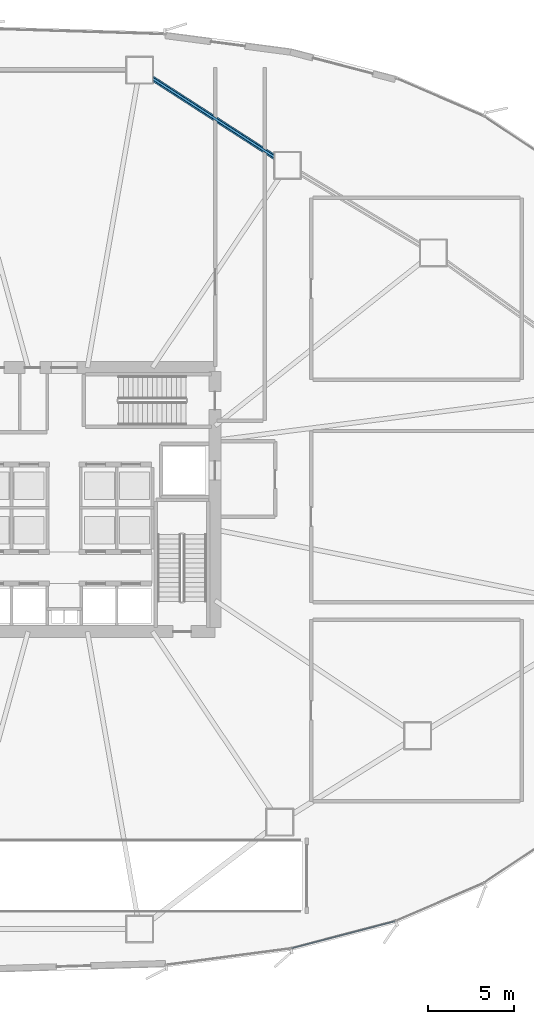
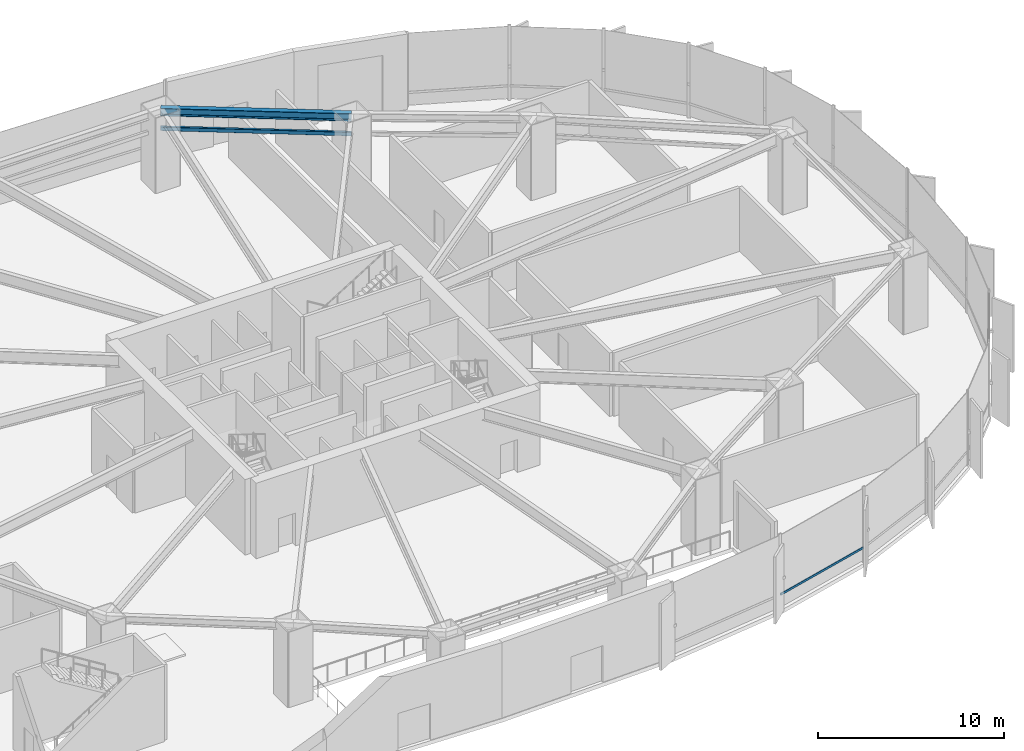
# One storey, part 13 of 35: 2 beams, 1 member, 1 element without a shape of its own.
"""IFC4 building model written with IfcOpenShell, lengths in metres."""

from ifc_helpers import new_model, si_unit, direction, frame, origin, origin_2d, place, context, subcontext, project, spatial, hollow_rectangle, i_section, extrude, source, transform, mapped, material, layer, layer_set, material_profile, profile_set, type_object, element, aggregate, save


model = new_model("IFC4")

# Units and contexts
model_context = context("Model", 3, precision=1e-05, world=origin(), true_north=direction((0.0, 1.0)))
body_context = subcontext(model_context, "Body", "Model", "MODEL_VIEW")
ifc_project = project(units=[si_unit("LENGTHUNIT", "METRE"), si_unit("AREAUNIT", "SQUARE_METRE"), si_unit("VOLUMEUNIT", "CUBIC_METRE"), si_unit("PLANEANGLEUNIT", "RADIAN"), si_unit("MASSUNIT", "GRAM", prefix="KILO"), si_unit("THERMODYNAMICTEMPERATUREUNIT", "KELVIN")], contexts=[model_context])

# Site, building, storey
site_placement = place(None, origin())
site = spatial("IfcSite", under=ifc_project, at=site_placement, CompositionType="ELEMENT")
building_placement = place(site_placement, origin())
building = spatial("IfcBuilding", under=site, at=building_placement, Name="Kethvar Cultural Tower", CompositionType="ELEMENT")
storey_placement = place(building_placement, origin())
storey = spatial("IfcBuildingStorey", under=building, at=storey_placement, Name="L00", CompositionType="ELEMENT", Elevation=0.0)

# Beams
ifc_material_1 = material(Name="Steel S355J2", Category="steel")
ifc_material_profile_1 = material_profile(ifc_material_1, i_section(OverallWidth=0.300048828125, OverallDepth=0.5, WebThickness=0.014404296875, FlangeThickness=0.028076171875, FilletRadius=0.027099609375, at=origin_2d()), Name="Steel S355J2 — HEB500")
ifc_profile_set_1 = profile_set([ifc_material_profile_1], Name="Steel S355J2 — HEB500")
beam_type_1 = type_object("IfcBeamType", Name="BM-SP500", PredefinedType="SPANDREL", material=ifc_profile_set_1)
shared_shape_1 = source(origin(), body_context, "Body", "SweptSolid", [
    extrude(i_section(OverallWidth=0.300048828125, OverallDepth=0.5, WebThickness=0.014404296875, FlangeThickness=0.028076171875, FilletRadius=0.027099609375, at=origin_2d()), origin(), (0.0, 0.0, 1.0), 10.260009765625),
])
beam_1_placement = place(storey_placement, frame((59.824951171875, 47.293212890625, 4.697998046875), z_axis=(-0.840635315951, 0.541601574569, 0.0), x_axis=(-0.541601574569, -0.840635315951, 0.0)))
element("IfcBeam", 1, at=beam_1_placement, inside=storey, type_object=beam_type_1, Name="L00 Podium Ring Beam 03", PredefinedType="SPANDREL", context=body_context, shape_type="MappedRepresentation", body=[
    mapped(shared_shape_1, transform((0.0, 0.0, 0.0), scale=1.0)),
])
ifc_material_profile_2 = material_profile(ifc_material_1, hollow_rectangle(XDim=0.14990234375, YDim=0.25, WallThickness=0.010009765625, InnerFilletRadius=0.010009765625, OuterFilletRadius=0.02001953125, at=origin_2d()), Name="Steel S355J2 — RHS250x150x10")
ifc_profile_set_2 = profile_set([ifc_material_profile_2], Name="Steel S355J2 — RHS250x150x10")
beam_type_2 = type_object("IfcBeamType", Name="BM-LN250", PredefinedType="LINTEL", material=ifc_profile_set_2)
shared_shape_2 = source(origin(), body_context, "Body", "SweptSolid", [
    extrude(hollow_rectangle(XDim=0.14990234375, YDim=0.25, WallThickness=0.010009765625, InnerFilletRadius=0.010009765625, OuterFilletRadius=0.02001953125, at=origin_2d()), origin(), (0.0, 0.0, 1.0), 10.260009765625),
])
beam_2_placement = place(storey_placement, frame((59.824951171875, 47.293212890625, 3.550048828125), z_axis=(-0.840635315951, 0.541601574569, 0.0), x_axis=(-0.541601574569, -0.840635315951, 0.0)))
element("IfcBeam", 2, at=beam_2_placement, inside=storey, type_object=beam_type_2, Name="L00 Header Lintel LN-03", PredefinedType="LINTEL", context=body_context, shape_type="MappedRepresentation", body=[
    mapped(shared_shape_2, transform((0.0, 0.0, 0.0), scale=1.0)),
])

# Curtain wall, member
ifc_material_2 = material(Name="Aluminium 6063-T6", Category="aluminium")
ifc_layer = layer(ifc_material_2, 0.179931640625, Name="Aluminium 6063-T6", Category="aluminium")
ifc_layer_set = layer_set([ifc_layer], Name="Aluminium 6063-T6 (180 mm)")
curtain_wall_type = type_object("IfcCurtainWallType", Name="CW-SYS-01-POD", PredefinedType="NOTDEFINED", material=ifc_layer_set)
curtain_wall_placement = place(storey_placement, origin())
curtain_wall = element("IfcCurtainWall", 3, at=curtain_wall_placement, inside=storey, type_object=curtain_wall_type, Name="L00 Curtain Wall Run 04", PredefinedType="NOTDEFINED")
ifc_material_profile_3 = material_profile(ifc_material_2, hollow_rectangle(XDim=0.06005859375, YDim=0.139892578125, WallThickness=0.0048828125, at=origin_2d()), Name="Aluminium 6063-T6 — RHS140x60x5")
ifc_profile_set_3 = profile_set([ifc_material_profile_3], Name="Aluminium 6063-T6 — RHS140x60x5")
member_type = type_object("IfcMemberType", Name="CW-SYS-01-POD-TRN", PredefinedType="USERDEFINED", material=ifc_profile_set_3)
shared_shape_3 = source(origin(), body_context, "Body", "SweptSolid", [
    extrude(hollow_rectangle(XDim=0.06005859375, YDim=0.139892578125, WallThickness=0.0048828125, at=origin_2d()), origin(), (0.0, 0.0, 1.0), 6.221435546875),
])
member_placement = place(storey_placement, frame((60.069091796875, 1.62890625, 0.949951171875), z_axis=(0.967458727109, 0.253028874519, 0.0), x_axis=(-0.253028874519, 0.967458727109, 0.0)))
member = element("IfcMember", 4, at=member_placement, type_object=member_type, Name="CW-L00-R04 Transom 2", ObjectType="TRANSOM", PredefinedType="USERDEFINED", context=body_context, shape_type="MappedRepresentation", body=[
    mapped(shared_shape_3, transform((0.0, 0.0, 0.0), scale=1.0)),
])
aggregate(curtain_wall, [member])

save(model, "model.ifc")
